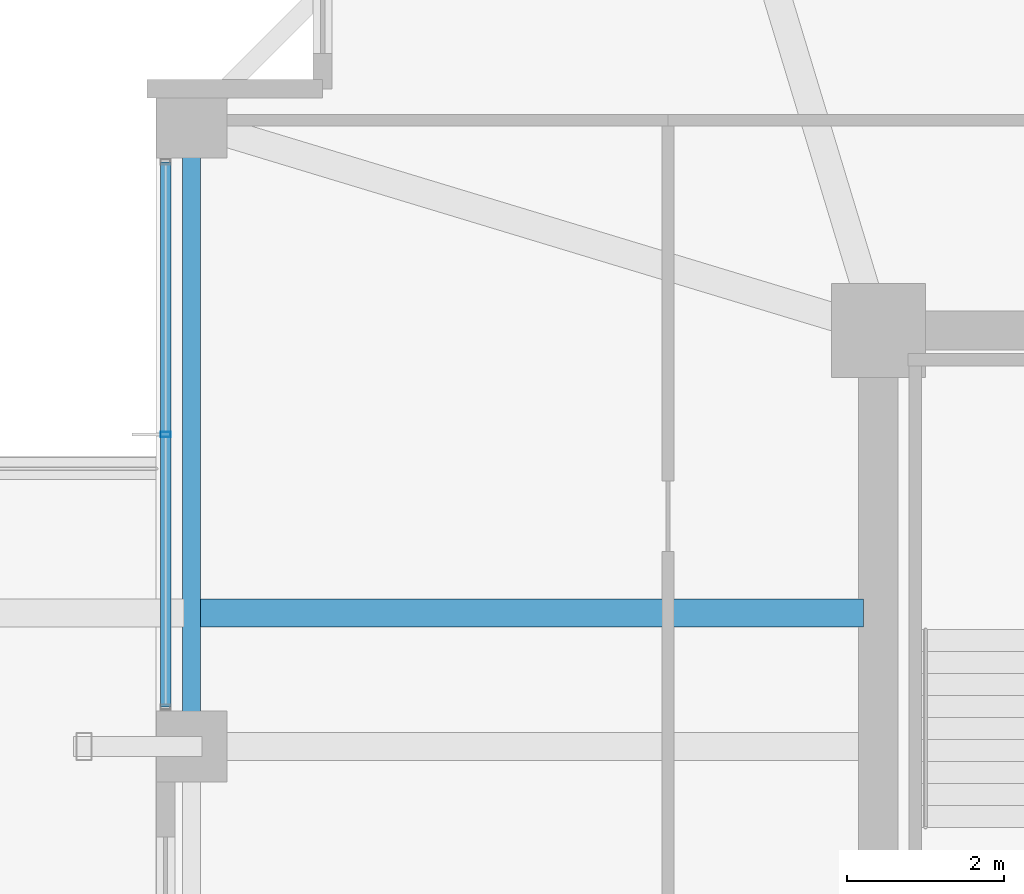
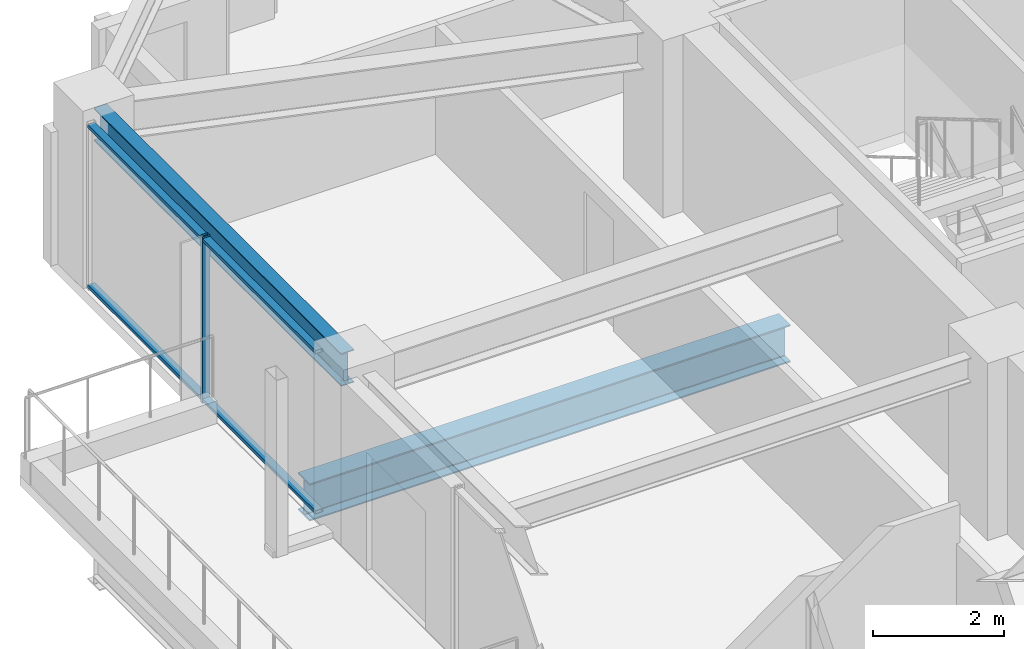
# One storey, part 10 of 34: 3 members, 2 beams, 1 element without a shape of its own.
"""IFC4 building model written with IfcOpenShell, lengths in metres."""

import ifcopenshell
import ifcopenshell.guid

model = None  # the IFC model being written
_history = None  # IfcOwnerHistory: only IFC2X3 demands one
_inside = {}  # id of a spatial element -> (the spatial element, [elements in it])
_under = {}  # id of a project, library or spatial element -> (it, [spatial elements below it])
_declared = {}  # id of a project -> (the project, [libraries it declares])
_typed = {}  # id of a type object -> (the type object, [elements of that type])
_made_of = {}  # id of a material, layer set ... -> (it, [elements and type objects made of it])


def new_model(schema):
    """Start an empty IFC model of exactly this schema.

    Asked for "IFC4X3", IfcOpenShell would pick the latest addendum, in which some entities
    have other attributes; the version numbers below select the first issue.
    IFC2X3 requires an IfcOwnerHistory on every rooted entity: one is made here for all.
    """
    global model, _history
    if schema == "IFC4X3":
        model = ifcopenshell.file(schema_version=(4, 3, 0, 0))
    else:
        model = ifcopenshell.file(schema=schema)
    _inside.clear()
    _under.clear()
    _declared.clear()
    _typed.clear()
    _made_of.clear()
    _history = None
    if model.schema == "IFC2X3":
        org = make("IfcOrganization", Name="unknown")
        user = make(
            "IfcPersonAndOrganization",
            ThePerson=make("IfcPerson", FamilyName="unknown"),
            TheOrganization=org,
        )
        app = make(
            "IfcApplication",
            ApplicationDeveloper=org,
            Version="unknown",
            ApplicationFullName="unknown",
            ApplicationIdentifier="unknown",
        )
        _history = make(
            "IfcOwnerHistory",
            OwningUser=user,
            OwningApplication=app,
            ChangeAction="ADDED",
            CreationDate=0,
        )
    return model


def make(cls, **values):
    """One entity of the class cls with the attributes given. An attribute that is None is left unset."""
    return model.create_entity(
        cls, **{name: value for name, value in values.items() if value is not None}
    )


def rooted(cls, **values):
    """An entity with a GlobalId (a new one), such as an element, a storey or a relation."""
    return make(cls, GlobalId=ifcopenshell.guid.new(), OwnerHistory=_history, **values)


def si_unit(unit_type, name, prefix=None):
    """IfcSIUnit, for example si_unit("LENGTHUNIT", "METRE", prefix="MILLI")."""
    return make("IfcSIUnit", UnitType=unit_type, Prefix=prefix, Name=name)


def assignment(units):
    """IfcUnitAssignment: the units of a project."""
    return None if units is None else make("IfcUnitAssignment", Units=units)


def point(xyz):
    """IfcCartesianPoint."""
    return None if xyz is None else make("IfcCartesianPoint", Coordinates=xyz)


def direction(xyz):
    """IfcDirection."""
    return None if xyz is None else make("IfcDirection", DirectionRatios=xyz)


def frame(location, z_axis=None, x_axis=None):
    """IfcAxis2Placement3D, a coordinate frame: its origin and axes. An axis left out is left unset."""
    return make(
        "IfcAxis2Placement3D",
        Location=point(location),
        Axis=direction(z_axis),
        RefDirection=direction(x_axis),
    )


def frame_2d(location, x_axis=None):
    """IfcAxis2Placement2D, a coordinate frame in the plane: its origin and x axis."""
    return make(
        "IfcAxis2Placement2D", Location=point(location), RefDirection=direction(x_axis)
    )


def origin():
    """The frame at (0, 0, 0) with its axes left unset."""
    return frame((0.0, 0.0, 0.0))


def origin_2d():
    """The frame at (0, 0) in the plane with its x axis left unset."""
    return frame_2d((0.0, 0.0))


def place(relative_to, where):
    """IfcLocalPlacement: puts the frame where relative to a parent placement (None: the world)."""
    return make(
        "IfcLocalPlacement", PlacementRelTo=relative_to, RelativePlacement=where
    )


def context(
    kind, dimensions, precision=None, world=None, true_north=None, identifier=None
):
    """IfcGeometricRepresentationContext, for example the 3D "Model" context."""
    return make(
        "IfcGeometricRepresentationContext",
        ContextIdentifier=identifier,
        ContextType=kind,
        CoordinateSpaceDimension=dimensions,
        Precision=precision,
        WorldCoordinateSystem=world,
        TrueNorth=true_north,
    )


def subcontext(parent, identifier, kind, view, scale=None):
    """IfcGeometricRepresentationSubContext, for example "Body" below "Model"."""
    return make(
        "IfcGeometricRepresentationSubContext",
        ContextIdentifier=identifier,
        ContextType=kind,
        ParentContext=parent,
        TargetScale=scale,
        TargetView=view,
    )


def project(units=None, contexts=None):
    """IfcProject with its units and contexts."""
    return rooted(
        "IfcProject",
        Name="project",
        RepresentationContexts=contexts,
        UnitsInContext=assignment(units),
    )


def spatial(cls, under=None, at=None, **own):
    """A site, building, storey or space (cls), placed at a placement, below another one or the project."""
    s = rooted(cls, ObjectPlacement=at, **own)
    if under is not None:
        _under.setdefault(under.id(), (under, []))[1].append(s)
    return s


def profile(cls, at=None, kind="AREA", **sizes):
    """A parametric profile (cls). Its sizes go by their IFC names, for example OverallWidth=200.0."""
    return make(cls, ProfileType=kind, Position=at, **sizes)


def hollow_rectangle(**sizes):
    """IfcRectangleHollowProfileDef."""
    return profile("IfcRectangleHollowProfileDef", **sizes)


def i_section(**sizes):
    """IfcIShapeProfileDef."""
    return profile("IfcIShapeProfileDef", **sizes)


def extrude(swept, where, along, depth):
    """IfcExtrudedAreaSolid: the profile swept, set in the frame where, extruded along a direction by depth."""
    return make(
        "IfcExtrudedAreaSolid",
        SweptArea=swept,
        Position=where,
        ExtrudedDirection=direction(along),
        Depth=depth,
    )


def shape(context_of_items, identifier, shape_type, items):
    """IfcShapeRepresentation: the items that make up one representation, for example the "Body"."""
    return make(
        "IfcShapeRepresentation",
        ContextOfItems=context_of_items,
        RepresentationIdentifier=identifier,
        RepresentationType=shape_type,
        Items=items,
    )


def material(Name=None, Category=None):
    """IfcMaterial."""
    return make("IfcMaterial", Name=Name, Category=Category)


def material_profile(
    of_material, cross_section, Name=None, Category=None, Priority=None
):
    """IfcMaterialProfile: a cross section and its material."""
    return make(
        "IfcMaterialProfile",
        Name=Name,
        Material=of_material,
        Profile=cross_section,
        Priority=Priority,
        Category=Category,
    )


def profile_set(profiles, Name=None, composite=None):
    """IfcMaterialProfileSet."""
    return make(
        "IfcMaterialProfileSet",
        Name=Name,
        MaterialProfiles=profiles,
        CompositeProfile=composite,
    )


def made_of(thing, what):
    """Note that an element or type object is made of a material, layer set ...; save() writes the relation."""
    if what is not None:
        _made_of.setdefault(what.id(), (what, []))[1].append(thing)
    return thing


def type_object(cls, material=None, **own):
    """A type object (cls), such as IfcWallType, which elements share."""
    return made_of(rooted(cls, **own), material)


def element(
    cls,
    number,
    at=None,
    inside=None,
    cuts=None,
    type_object=None,
    material=None,
    context=None,
    identifier="Body",
    shape_type=None,
    held_by="IfcProductDefinitionShape",
    body=None,
    shapes=None,
    **own,
):
    """One element of the class cls, such as IfcWall. Its Tag is "e" and its number.

    at: its placement. inside: the storey or other place that contains it. cuts: it is an
    opening in that element (IfcRelVoidsElement). A single representation is given by context,
    identifier, shape_type and body (its items); several are given by shapes. held_by: the class
    of the entity that holds the representations. save() writes the other relations.
    """
    e = rooted(cls, Tag="e%d" % number, ObjectPlacement=at, **own)
    if body is not None:
        shapes = [shape(context, identifier, shape_type, body)]
    if shapes is not None:
        e.Representation = make(held_by, Representations=shapes)
    if inside is not None:
        _inside.setdefault(inside.id(), (inside, []))[1].append(e)
    if cuts is not None:
        rooted(
            "IfcRelVoidsElement", RelatingBuildingElement=cuts, RelatedOpeningElement=e
        )
    if type_object is not None:
        _typed.setdefault(type_object.id(), (type_object, []))[1].append(e)
    return made_of(e, material)


def aggregate(whole, parts):
    """IfcRelAggregates: a whole, such as a stair, and the parts it consists of."""
    return rooted("IfcRelAggregates", RelatingObject=whole, RelatedObjects=parts)


def save(model, path):
    """Write the relations noted so far, then the file.

    IfcRelAggregates (storeys below a building ...), IfcRelContainedInSpatialStructure (elements
    in a storey), IfcRelDefinesByType, IfcRelAssociatesMaterial and IfcRelDeclares: one each for
    every whole, place, type object, material and project.
    """
    for whole, parts in _under.values():
        aggregate(whole, parts)
    for where, things in _inside.values():
        rooted(
            "IfcRelContainedInSpatialStructure",
            RelatedElements=things,
            RelatingStructure=where,
        )
    for kind, things in _typed.values():
        rooted("IfcRelDefinesByType", RelatedObjects=things, RelatingType=kind)
    for what, things in _made_of.values():
        rooted("IfcRelAssociatesMaterial", RelatedObjects=things, RelatingMaterial=what)
    for by, libraries in _declared.values():
        rooted("IfcRelDeclares", RelatingContext=by, RelatedDefinitions=libraries)
    model.write(path)


model = new_model("IFC4")

# Units and contexts
model_context = context("Model", 3, precision=1e-05, world=origin(), true_north=direction((0.0, 1.0)))
body_context = subcontext(model_context, "Body", "Model", "MODEL_VIEW")
ifc_project = project(units=[si_unit("LENGTHUNIT", "METRE"), si_unit("AREAUNIT", "SQUARE_METRE"), si_unit("VOLUMEUNIT", "CUBIC_METRE"), si_unit("PLANEANGLEUNIT", "RADIAN"), si_unit("MASSUNIT", "GRAM", prefix="KILO")], contexts=[model_context])

# Site, building, storey
site_placement = place(None, origin())
site = spatial("IfcSite", under=ifc_project, at=site_placement, CompositionType="ELEMENT")
building_placement = place(site_placement, origin())
building = spatial("IfcBuilding", under=site, at=building_placement, Name="Kolvaren Belvedere", CompositionType="ELEMENT")
storey_placement = place(building_placement, frame((0.0, 0.0, 166.800048828125)))
storey = spatial("IfcBuildingStorey", under=building, at=storey_placement, Name="L48", CompositionType="ELEMENT", Elevation=166.800048828125)

# Beams
ifc_material_1 = material(Name="Structural steel ASTM A992 Grade 50", Category="steel")
ifc_material_profile_1 = material_profile(ifc_material_1, i_section(OverallWidth=0.35498046875, OverallDepth=0.696044921875, WebThickness=0.015380859375, FlangeThickness=0.02490234375, FilletRadius=0.02197265625, at=origin_2d()), Name="W27X146")
ifc_profile_set_1 = profile_set([ifc_material_profile_1], Name="Structural steel ASTM A992 Grade 50")
beam_type_1 = type_object("IfcBeamType", Name="BM-GIRD-W27X146", PredefinedType="BEAM", material=ifc_profile_set_1)
beam_1_placement = place(storey_placement, frame((-10.090087890625, 6.300048828125, -0.548095703125), z_axis=(-1.0, 0.0, 0.0), x_axis=(0.0, -1.0, 0.0)))
element("IfcBeam", 1, at=beam_1_placement, inside=storey, type_object=beam_type_1, Name="L48 Balcony Interior Back-Span Girder SPIRAL-07-W-2", PredefinedType="BEAM", context=body_context, shape_type="SweptSolid", body=[
    extrude(i_section(OverallWidth=0.35498046875, OverallDepth=0.696044921875, WebThickness=0.015380859375, FlangeThickness=0.02490234375, FilletRadius=0.02197265625, at=origin_2d()), origin(), (0.0, 0.0, 1.0), 8.46484375),
])
ifc_material_2 = material(Name="Structural steel ASTM A992 Grade 50", Category="steel")
ifc_material_profile_2 = material_profile(ifc_material_2, i_section(OverallWidth=0.22900390625, OverallDepth=0.612060546875, WebThickness=0.011962890625, FlangeThickness=0.01953125, FilletRadius=0.01806640625, at=origin_2d()), Name="W24X84")
ifc_profile_set_2 = profile_set([ifc_material_profile_2], Name="Structural steel ASTM A992 Grade 50")
beam_type_2 = type_object("IfcBeamType", Name="BM-SPAN-W24X84", PredefinedType="SPANDREL", material=ifc_profile_set_2)
beam_2_placement = place(storey_placement, frame((-18.64990234375, 12.347412109375, 2.7939453125), z_axis=(0.0, -1.0, 0.0), x_axis=(1.0, 0.0, 0.0)))
element("IfcBeam", 2, at=beam_2_placement, inside=storey, type_object=beam_type_2, Name="L48 Perimeter Spandrel W4-W3", PredefinedType="SPANDREL", context=body_context, shape_type="SweptSolid", body=[
    extrude(i_section(OverallWidth=0.22900390625, OverallDepth=0.612060546875, WebThickness=0.011962890625, FlangeThickness=0.01953125, FilletRadius=0.01806640625, at=origin_2d()), origin(), (0.0, 0.0, 1.0), 7.544921875),
])

# Curtain wall, members
ifc_material_3 = material(Name="Anodised pale-metal aluminium AA 6063-T6", Category="aluminium")
curtain_wall_type = type_object("IfcCurtainWallType", Name="CW-Z3-WAIST", PredefinedType="NOTDEFINED", material=ifc_material_3)
curtain_wall_placement = place(storey_placement, origin())
curtain_wall = element("IfcCurtainWall", 3, at=curtain_wall_placement, inside=storey, type_object=curtain_wall_type, Name="L48 Unitised Curtain Wall FCW-L48-W2", PredefinedType="NOTDEFINED")
ifc_material_4 = material(Name="Anodised pale-metal aluminium AA 6063-T6", Category="aluminium")
ifc_material_profile_3 = material_profile(ifc_material_4, hollow_rectangle(XDim=0.06494140625, YDim=0.1298828125, WallThickness=0.00390625, at=origin_2d()), Name="ALU-MUL-130X65")
ifc_profile_set_3 = profile_set([ifc_material_profile_3], Name="Anodised pale-metal aluminium AA 6063-T6")
member_type_1 = type_object("IfcMemberType", Name="CW-MUL-130", PredefinedType="MULLION", material=ifc_profile_set_3)
member_1_placement = place(storey_placement, frame((-18.97998046875, 8.574951171875, 0.0), z_axis=(0.0, 0.0, 1.0), x_axis=(0.0, 1.0, 0.0)))
member_1 = element("IfcMember", 4, at=member_1_placement, type_object=member_type_1, Name="FCW-L48-W2 Unitised Mullion 2", PredefinedType="MULLION", context=body_context, shape_type="SweptSolid", body=[
    extrude(hollow_rectangle(XDim=0.06494140625, YDim=0.1298828125, WallThickness=0.00390625, at=origin_2d()), origin(), (0.0, 0.0, 1.0), 3.099853515625),
])
ifc_material_5 = material(Name="Anodised pale-metal aluminium AA 6063-T6", Category="aluminium")
ifc_material_profile_4 = material_profile(ifc_material_5, hollow_rectangle(XDim=0.06005859375, YDim=0.1298828125, WallThickness=0.00390625, at=origin_2d()), Name="ALU-TRN-130X60")
ifc_profile_set_4 = profile_set([ifc_material_profile_4], Name="Anodised pale-metal aluminium AA 6063-T6")
member_type_2 = type_object("IfcMemberType", Name="CW-TRN-130", PredefinedType="USERDEFINED", material=ifc_profile_set_4)
member_2_placement = place(storey_placement, frame((-18.97998046875, 5.1025390625, 0.06005859375), z_axis=(0.0, 1.0, 0.0), x_axis=(0.0, 0.0, 1.0)))
member_2 = element("IfcMember", 5, at=member_2_placement, type_object=member_type_2, Name="FCW-L48-W2 Sill Transom", ObjectType="TRANSOM", PredefinedType="USERDEFINED", context=body_context, shape_type="SweptSolid", body=[
    extrude(hollow_rectangle(XDim=0.06005859375, YDim=0.1298828125, WallThickness=0.00390625, at=origin_2d()), origin(), (0.0, 0.0, 1.0), 6.945068359375),
])
member_3_placement = place(storey_placement, frame((-18.97998046875, 5.1025390625, 3.0400390625), z_axis=(0.0, 1.0, 0.0), x_axis=(0.0, 0.0, 1.0)))
member_3 = element("IfcMember", 6, at=member_3_placement, type_object=member_type_2, Name="FCW-L48-W2 Head Transom", ObjectType="TRANSOM", PredefinedType="USERDEFINED", context=body_context, shape_type="SweptSolid", body=[
    extrude(hollow_rectangle(XDim=0.06005859375, YDim=0.1298828125, WallThickness=0.00390625, at=origin_2d()), origin(), (0.0, 0.0, 1.0), 6.945068359375),
])
aggregate(curtain_wall, [member_1, member_2, member_3])

save(model, "model.ifc")
